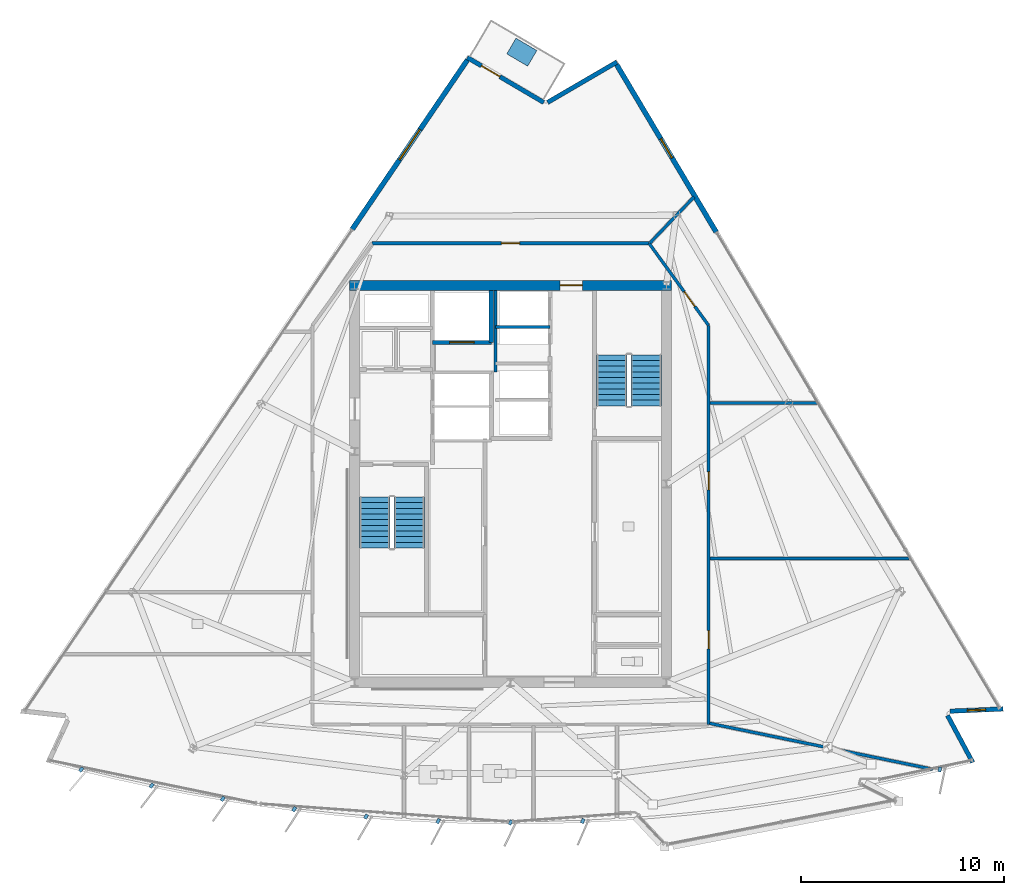
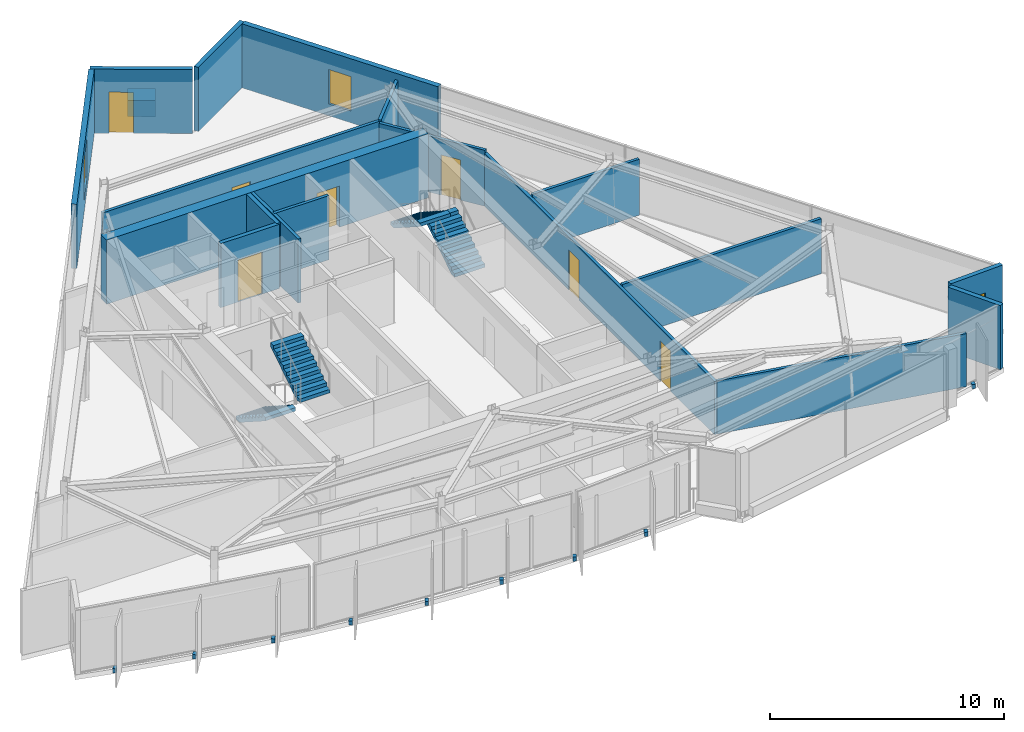
# One storey, part 8 of 12: 18 walls, 10 discrete accessories, 7 doors, 4 stair flights, 3 windows, 10 openings, 2 elements without a shape of their own.
"""IFC4 building model written with IfcOpenShell, lengths in metres."""

from ifc_helpers import new_model, si_unit, direction, frame, frame_2d, origin, origin_2d, place, context, subcontext, project, spatial, polyline, rectangle, outline, extrude, material, layer, layer_set, type_object, element, fill, aggregate, save


model = new_model("IFC4")

# Units and contexts
model_context = context("Model", 3, precision=1e-05, world=origin(), true_north=direction((0.0, 1.0)))
body_context = subcontext(model_context, "Body", "Model", "MODEL_VIEW")
ifc_project = project(units=[si_unit("LENGTHUNIT", "METRE"), si_unit("AREAUNIT", "SQUARE_METRE"), si_unit("VOLUMEUNIT", "CUBIC_METRE"), si_unit("PLANEANGLEUNIT", "RADIAN"), si_unit("MASSUNIT", "GRAM", prefix="KILO")], contexts=[model_context])

# Site, building, storey
site_placement = place(None, origin())
site = spatial("IfcSite", under=ifc_project, at=site_placement, CompositionType="ELEMENT")
building_placement = place(site_placement, origin())
building = spatial("IfcBuilding", under=site, at=building_placement, Name="Savorim Split Tower", CompositionType="ELEMENT")
storey_placement = place(building_placement, frame((0.0, 0.0, 261.60009765625)))
storey = spatial("IfcBuildingStorey", under=building, at=storey_placement, Name="L69", CompositionType="ELEMENT", Elevation=261.60009765625)

# Wall, opening, door
ifc_material_1 = material(Name="Concrete C60/75", Category="concrete")
ifc_layer_1 = layer(ifc_material_1, 0.5)
ifc_layer_set_1 = layer_set([ifc_layer_1], Name="WAL-COR-SH500")
wall_type_1 = type_object("IfcWallType", Name="WAL-COR-SH500", PredefinedType="SHEAR", material=ifc_layer_set_1)
wall_1_placement = place(storey_placement, frame((7.949951171875, 10.199951171875, 0.0), z_axis=(0.0, 0.0, 1.0), x_axis=(-1.0, 0.0, 0.0)))
wall_1 = element("IfcWall", 1, at=wall_1_placement, inside=storey, type_object=wall_type_1, Name="L69 Offset Core North Shear Wall", PredefinedType="SHEAR", context=body_context, shape_type="SweptSolid", body=[
    extrude(rectangle(XDim=15.89990234375, YDim=0.5, at=frame_2d((7.949951171875, 0.0))), origin(), (0.0, 0.0, 1.0), 3.349853515625),
])
opening_1_placement = place(wall_1_placement, frame((4.39990234375, 0.0, 0.0)))
opening_1 = element("IfcOpeningElement", 2, at=opening_1_placement, cuts=wall_1, Name="Opening DI-03", PredefinedType="OPENING", context=body_context, shape_type="SweptSolid", body=[
    extrude(rectangle(XDim=1.10009765625, YDim=2.14990234375, at=frame_2d((0.550048828125, 1.074951171875))), frame((0.0, 0.260009765625, 0.0), z_axis=(0.0, -1.0, 0.0), x_axis=(1.0, 0.0, 0.0)), (0.0, 0.0, 1.0), 0.52001953125),
])
ifc_material_2 = material(Name="Timber Fire Door Leaf", Category="wood")
door_type_1 = type_object("IfcDoorType", Name="DOR-FIR-1100", OperationType="NOTDEFINED", PredefinedType="DOOR", material=ifc_material_2)
door_1_placement = place(opening_1_placement, origin())
door_1 = element("IfcDoor", 3, at=door_1_placement, inside=storey, type_object=door_type_1, Name="DOR-L69-COR-NLOB - L69 North Corridor Lobby Fire Door", OperationType="SINGLE_SWING_RIGHT", OverallHeight=2.14990234375, OverallWidth=1.10009765625, PredefinedType="DOOR", context=body_context, shape_type="SweptSolid", body=[
    extrude(rectangle(XDim=1.10009765625, YDim=2.14990234375, at=frame_2d((0.550048828125, 1.074951171875))), frame((0.0, 0.02490234375, 0.0), z_axis=(0.0, -1.0, 0.0), x_axis=(1.0, 0.0, 0.0)), (0.0, 0.0, 1.0), 0.050048828125),
])
fill(opening_1, door_1)

# Wall
ifc_material_3 = material(Name="Precast concrete C40/50", Category="concrete")
ifc_layer_2 = layer(ifc_material_3, 0.219970703125)
ifc_layer_set_2 = layer_set([ifc_layer_2], Name="WAL-EXT-CRN220")
wall_type_2 = type_object("IfcWallType", Name="WAL-EXT-CRN220", PredefinedType="SOLIDWALL", material=ifc_layer_set_2)
wall_2_placement = place(storey_placement, frame((21.58056640625, -11.03955078125, 0.0), z_axis=(0.0, 0.0, 1.0), x_axis=(0.472791303324, -0.881174434208, 0.0)))
element("IfcWall", 4, at=wall_2_placement, inside=storey, type_object=wall_type_2, Name="L69 Notched Corner Facade Wall SE1", PredefinedType="SOLIDWALL", context=body_context, shape_type="SweptSolid", body=[
    extrude(rectangle(XDim=2.626953125, YDim=0.219970703125, at=frame_2d((1.3134765625, 0.0))), origin(), (0.0, 0.0, 1.0), 3.349853515625),
])

# Wall, opening, window
wall_3_placement = place(storey_placement, frame((24.32421875, -10.71435546875, 0.0), z_axis=(0.0, 0.0, 1.0), x_axis=(-0.999095924753, -0.042512740932, 0.0)))
wall_3 = element("IfcWall", 5, at=wall_3_placement, inside=storey, type_object=wall_type_2, Name="L69 Notched Corner Facade Wall SE", PredefinedType="SOLIDWALL", context=body_context, shape_type="SweptSolid", body=[
    extrude(rectangle(XDim=2.62451171875, YDim=0.219970703125, at=frame_2d((1.312255859375, 0.0))), origin(), (0.0, 0.0, 1.0), 3.349853515625),
])
opening_2_placement = place(wall_3_placement, frame((0.8623046875, 0.0, 0.6201171875)))
opening_2 = element("IfcOpeningElement", 6, at=opening_2_placement, cuts=wall_3, Name="Opening WN-10", PredefinedType="OPENING", context=body_context, shape_type="SweptSolid", body=[
    extrude(rectangle(XDim=0.89990234375, YDim=1.60009765625, at=frame_2d((0.449951171875, 0.800048828125))), frame((0.0, 0.119873046875, 0.0), z_axis=(0.0, -1.0, 0.0), x_axis=(1.0, 0.0, 0.0)), (0.0, 0.0, 1.0), 0.239990234375),
])
ifc_material_4 = material(Name="Low-E Operable Double Glazing", Category="glass")
window_type_1 = type_object("IfcWindowType", Name="WIN-TWR-900x1600", PartitioningType="SINGLE_PANEL", PredefinedType="WINDOW", material=ifc_material_4)
window_1_placement = place(opening_2_placement, origin())
window_1 = element("IfcWindow", 7, at=window_1_placement, inside=storey, type_object=window_type_1, Name="L69 Operable Corner Window SE", OverallHeight=1.60009765625, OverallWidth=0.89990234375, PartitioningType="SINGLE_PANEL", PredefinedType="WINDOW", context=body_context, shape_type="SweptSolid", body=[
    extrude(rectangle(XDim=0.89990234375, YDim=1.60009765625, at=frame_2d((0.449951171875, 0.800048828125))), frame((0.0, 0.030029296875, 0.0), z_axis=(0.0, -1.0, 0.0), x_axis=(1.0, 0.0, 0.0)), (0.0, 0.0, 1.0), 0.06005859375),
])
fill(opening_2, window_1)

# Wall
wall_4_placement = place(storey_placement, frame((1.832275390625, 19.233642578125, 0.0), z_axis=(0.0, 0.0, 1.0), x_axis=(0.86397765749, 0.503530145432, 0.0)))
element("IfcWall", 8, at=wall_4_placement, inside=storey, type_object=wall_type_2, Name="L69 Notched Corner Facade Wall NE1", PredefinedType="SOLIDWALL", context=body_context, shape_type="SweptSolid", body=[
    extrude(rectangle(XDim=3.963623046875, YDim=0.219970703125, at=frame_2d((1.98193359375, 0.0))), origin(), (0.0, 0.0, 1.0), 3.349853515625),
])

# Wall, opening, door
wall_5_placement = place(storey_placement, frame((-2.1337890625, 21.453125, 0.0), z_axis=(0.0, 0.0, 1.0), x_axis=(0.862106131527, -0.506727755292, 0.0)))
wall_5 = element("IfcWall", 9, at=wall_5_placement, inside=storey, type_object=wall_type_2, Name="L69 Notched Corner Facade Wall N", PredefinedType="SOLIDWALL", context=body_context, shape_type="SweptSolid", body=[
    extrude(rectangle(XDim=4.379638671875, YDim=0.219970703125, at=frame_2d((2.18994140625, 0.0))), origin(), (0.0, 0.0, 1.0), 3.349853515625),
])
opening_3_placement = place(wall_5_placement, frame((0.814697265625, 0.0, 0.0)))
opening_3 = element("IfcOpeningElement", 10, at=opening_3_placement, cuts=wall_5, Name="Opening DB-01", PredefinedType="OPENING", context=body_context, shape_type="SweptSolid", body=[
    extrude(rectangle(XDim=1.050048828125, YDim=2.14990234375, at=frame_2d((0.52490234375, 1.074951171875))), frame((0.0, 0.119873046875, 0.0), z_axis=(0.0, -1.0, 0.0), x_axis=(1.0, 0.0, 0.0)), (0.0, 0.0, 1.0), 0.239990234375),
])
ifc_material_5 = material(Name="Charcoal Anodised Aluminium", Category="aluminium")
door_type_2 = type_object("IfcDoorType", Name="DOR-BAL-1050", OperationType="NOTDEFINED", PredefinedType="DOOR", material=ifc_material_5)
door_2_placement = place(opening_3_placement, origin())
door_2 = element("IfcDoor", 11, at=door_2_placement, inside=storey, type_object=door_type_2, Name="DOR-L69-TBAL-N - L69 Planted Tree Balcony Door N", OperationType="SINGLE_SWING_RIGHT", OverallHeight=2.14990234375, OverallWidth=1.050048828125, PredefinedType="DOOR", context=body_context, shape_type="SweptSolid", body=[
    extrude(rectangle(XDim=1.050048828125, YDim=2.14990234375, at=frame_2d((0.52490234375, 1.074951171875))), frame((0.0, 0.02490234375, 0.0), z_axis=(0.0, -1.0, 0.0), x_axis=(1.0, 0.0, 0.0)), (0.0, 0.0, 1.0), 0.050048828125),
])
fill(opening_3, door_2)

# Wall, opening, window
ifc_layer_3 = layer(ifc_material_3, 0.25)
ifc_layer_set_3 = layer_set([ifc_layer_3], Name="WAL-EXT-SPN250")
wall_type_3 = type_object("IfcWallType", Name="WAL-EXT-SPN250", PredefinedType="SOLIDWALL", material=ifc_layer_set_3)
wall_6_placement = place(storey_placement, frame((5.240234375, 21.10302734375, 0.0), z_axis=(0.0, 0.0, 1.0), x_axis=(0.511088566076, -0.859528055171, 0.0)))
wall_6 = element("IfcWall", 12, at=wall_6_placement, inside=storey, type_object=wall_type_3, Name="L69 East Operable Window Pier", PredefinedType="SOLIDWALL", context=body_context, shape_type="SweptSolid", body=[
    extrude(rectangle(XDim=9.62158203125, YDim=0.25, at=frame_2d((4.810791015625, 0.0))), origin(), (0.0, 0.0, 1.0), 3.349853515625),
])
opening_4_placement = place(wall_6_placement, frame((4.2607421875, 0.0, 0.6201171875)))
opening_4 = element("IfcOpeningElement", 13, at=opening_4_placement, cuts=wall_6, Name="Opening WN-09", PredefinedType="OPENING", context=body_context, shape_type="SweptSolid", body=[
    extrude(rectangle(XDim=1.10009765625, YDim=1.800048828125, at=frame_2d((0.550048828125, 0.89990234375))), frame((0.0, 0.135009765625, 0.0), z_axis=(0.0, -1.0, 0.0), x_axis=(1.0, 0.0, 0.0)), (0.0, 0.0, 1.0), 0.27001953125),
])
window_type_2 = type_object("IfcWindowType", Name="WIN-TWR-1100x1800", PartitioningType="SINGLE_PANEL", PredefinedType="WINDOW", material=ifc_material_4)
window_2_placement = place(opening_4_placement, origin())
window_2 = element("IfcWindow", 14, at=window_2_placement, inside=storey, type_object=window_type_2, Name="L69 East Operable Ventilation Window", OverallHeight=1.800048828125, OverallWidth=1.10009765625, PartitioningType="SINGLE_PANEL", PredefinedType="WINDOW", context=body_context, shape_type="SweptSolid", body=[
    extrude(rectangle(XDim=1.10009765625, YDim=1.800048828125, at=frame_2d((0.550048828125, 0.89990234375))), frame((0.0, 0.030029296875, 0.0), z_axis=(0.0, -1.0, 0.0), x_axis=(1.0, 0.0, 0.0)), (0.0, 0.0, 1.0), 0.06005859375),
])
fill(opening_4, window_2)

wall_7_placement = place(storey_placement, frame((-7.81689453125, 12.970947265625, 0.0), z_axis=(0.0, 0.0, 1.0), x_axis=(0.562474530687, 0.826814611826, 0.0)))
wall_7 = element("IfcWall", 15, at=wall_7_placement, inside=storey, type_object=wall_type_3, Name="L69 West Operable Window Pier", PredefinedType="SOLIDWALL", context=body_context, shape_type="SweptSolid", body=[
    extrude(rectangle(XDim=10.106689453125, YDim=0.25, at=frame_2d((5.05322265625, 0.0))), origin(), (0.0, 0.0, 1.0), 3.349853515625),
])
opening_5_placement = place(wall_7_placement, frame((4.153564453125, 0.0, 0.6201171875)))
opening_5 = element("IfcOpeningElement", 16, at=opening_5_placement, cuts=wall_7, Name="Opening WN-04", PredefinedType="OPENING", context=body_context, shape_type="SweptSolid", body=[
    extrude(rectangle(XDim=1.800048828125, YDim=2.10009765625, at=frame_2d((0.89990234375, 1.050048828125))), frame((0.0, 0.135009765625, 0.0), z_axis=(0.0, -1.0, 0.0), x_axis=(1.0, 0.0, 0.0)), (0.0, 0.0, 1.0), 0.27001953125),
])
window_type_3 = type_object("IfcWindowType", Name="WIN-TWR-1800x2100", PartitioningType="DOUBLE_PANEL_VERTICAL", PredefinedType="WINDOW", material=ifc_material_4)
window_3_placement = place(opening_5_placement, origin())
window_3 = element("IfcWindow", 17, at=window_3_placement, inside=storey, type_object=window_type_3, Name="L69 West Operable Ventilation Window", OverallHeight=2.10009765625, OverallWidth=1.800048828125, PartitioningType="SINGLE_PANEL", PredefinedType="WINDOW", context=body_context, shape_type="SweptSolid", body=[
    extrude(rectangle(XDim=1.800048828125, YDim=2.10009765625, at=frame_2d((0.89990234375, 1.050048828125))), frame((0.0, 0.030029296875, 0.0), z_axis=(0.0, -1.0, 0.0), x_axis=(1.0, 0.0, 0.0)), (0.0, 0.0, 1.0), 0.06005859375),
])
fill(opening_5, window_3)

# Wall, opening, door
ifc_material_6 = material(Name="Concrete C50/60", Category="concrete")
ifc_layer_4 = layer(ifc_material_6, 0.199951171875)
ifc_layer_set_4 = layer_set([ifc_layer_4], Name="WAL-INT-RC200")
wall_type_4 = type_object("IfcWallType", Name="WAL-INT-RC200", PredefinedType="SOLIDWALL", material=ifc_layer_set_4)
wall_8_placement = place(storey_placement, frame((-3.85009765625, 7.3798828125, 0.0), z_axis=(0.0, 0.0, 1.0), x_axis=(1.0, 0.0, 0.0)))
wall_8 = element("IfcWall", 18, at=wall_8_placement, inside=storey, type_object=wall_type_4, Name="L69 Partition W-L69-SVLS", PredefinedType="SOLIDWALL", context=body_context, shape_type="SweptSolid", body=[
    extrude(rectangle(XDim=2.900146484375, YDim=0.199951171875, at=frame_2d((1.4501953125, 0.0))), origin(), (0.0, 0.0, 1.0), 3.349853515625),
])
opening_6_placement = place(wall_8_placement, frame((0.85009765625, 0.0, 0.0)))
opening_6 = element("IfcOpeningElement", 19, at=opening_6_placement, cuts=wall_8, Name="Opening LD-SV", PredefinedType="OPENING", context=body_context, shape_type="SweptSolid", body=[
    extrude(rectangle(XDim=1.199951171875, YDim=2.199951171875, at=frame_2d((0.60009765625, 1.10009765625))), frame((0.0, 0.10986328125, 0.0), z_axis=(0.0, -1.0, 0.0), x_axis=(1.0, 0.0, 0.0)), (0.0, 0.0, 1.0), 0.219970703125),
])
door_type_3 = type_object("IfcDoorType", Name="DOR-SLD-SV1200", OperationType="NOTDEFINED", PredefinedType="DOOR", material=ifc_material_5)
door_3_placement = place(opening_6_placement, origin())
door_3 = element("IfcDoor", 20, at=door_3_placement, inside=storey, type_object=door_type_3, Name="DR-L69-LD-SVL1 - L69 Service Lift SVL-1 Sliding Landing Door", OperationType="DOUBLE_DOOR_SLIDING", OverallHeight=2.199951171875, OverallWidth=1.199951171875, PredefinedType="DOOR", context=body_context, shape_type="SweptSolid", body=[
    extrude(rectangle(XDim=1.199951171875, YDim=2.199951171875, at=frame_2d((0.60009765625, 1.10009765625))), frame((0.0, 0.02490234375, 0.0), z_axis=(0.0, -1.0, 0.0), x_axis=(1.0, 0.0, 0.0)), (0.0, 0.0, 1.0), 0.050048828125),
])
fill(opening_6, door_3)

# Walls
wall_9_placement = place(storey_placement, frame((-0.949951171875, 7.3798828125, 0.0), z_axis=(0.0, 0.0, 1.0), x_axis=(0.0, 1.0, 0.0)))
element("IfcWall", 21, at=wall_9_placement, inside=storey, type_object=wall_type_4, Name="L69 Partition W-L69-SVLE", PredefinedType="SOLIDWALL", context=body_context, shape_type="SweptSolid", body=[
    extrude(rectangle(XDim=2.565185546875, YDim=0.199951171875, at=frame_2d((1.28271484375, 0.0))), origin(), (0.0, 0.0, 1.0), 3.349853515625),
])
ifc_material_7 = material(Name="Acoustic Gypsum Partition Board")
ifc_layer_5 = layer(ifc_material_7, 0.14990234375)
ifc_layer_set_5 = layer_set([ifc_layer_5], Name="WAL-PAR-150")
wall_type_5 = type_object("IfcWallType", Name="WAL-PAR-150", PredefinedType="PARTITIONING", material=ifc_layer_set_5)
wall_10_placement = place(storey_placement, frame((-0.75, 5.919921875, 0.0), z_axis=(0.0, 0.0, 1.0), x_axis=(0.0, 1.0, 0.0)))
element("IfcWall", 22, at=wall_10_placement, inside=storey, type_object=wall_type_5, Name="L69 Partition W-L69-B3WEST", PredefinedType="PARTITIONING", context=body_context, shape_type="SweptSolid", body=[
    extrude(rectangle(XDim=4.025146484375, YDim=0.14990234375, at=frame_2d((2.0126953125, 0.0))), origin(), (0.0, 0.0, 1.0), 3.349853515625),
])
wall_11_placement = place(storey_placement, frame((-0.75, 8.14990234375, 0.0), z_axis=(0.0, 0.0, 1.0), x_axis=(1.0, 0.0, 0.0)))
element("IfcWall", 23, at=wall_11_placement, inside=storey, type_object=wall_type_5, Name="L69 Partition W-L69-B3DIV3", PredefinedType="PARTITIONING", context=body_context, shape_type="SweptSolid", body=[
    extrude(rectangle(XDim=2.699951171875, YDim=0.14990234375, at=frame_2d((1.35009765625, 0.0))), origin(), (0.0, 0.0, 1.0), 3.349853515625),
])

# Wall, opening, door
wall_12_placement = place(storey_placement, frame((-6.8408203125, 12.280029296875, 0.0), z_axis=(0.0, 0.0, 1.0), x_axis=(1.0, 0.0, 0.0)))
wall_12 = element("IfcWall", 24, at=wall_12_placement, inside=storey, type_object=wall_type_5, Name="L69 Partition W-L69-COR-03", PredefinedType="PARTITIONING", context=body_context, shape_type="SweptSolid", body=[
    extrude(rectangle(XDim=13.681640625, YDim=0.14990234375, at=frame_2d((6.8408203125, 0.0))), origin(), (0.0, 0.0, 1.0), 3.014892578125),
])
opening_7_placement = place(wall_12_placement, frame((6.390869140625, 0.0, 0.0)))
opening_7 = element("IfcOpeningElement", 25, at=opening_7_placement, cuts=wall_12, Name="Opening DI-06", PredefinedType="OPENING", context=body_context, shape_type="SweptSolid", body=[
    extrude(rectangle(XDim=0.89990234375, YDim=2.10009765625, at=frame_2d((0.449951171875, 1.050048828125))), frame((0.0, 0.0849609375, 0.0), z_axis=(0.0, -1.0, 0.0), x_axis=(1.0, 0.0, 0.0)), (0.0, 0.0, 1.0), 0.169921875),
])
door_type_4 = type_object("IfcDoorType", Name="DOR-FIR-900", OperationType="NOTDEFINED", PredefinedType="DOOR", material=ifc_material_2)
door_4_placement = place(opening_7_placement, origin())
door_4 = element("IfcDoor", 26, at=door_4_placement, inside=storey, type_object=door_type_4, Name="DR-L69-RM11 - L69 Co-Working Commons Entry Door", OperationType="SINGLE_SWING_RIGHT", OverallHeight=2.10009765625, OverallWidth=0.89990234375, PredefinedType="DOOR", context=body_context, shape_type="SweptSolid", body=[
    extrude(rectangle(XDim=0.89990234375, YDim=2.10009765625, at=frame_2d((0.449951171875, 1.050048828125))), frame((0.0, 0.02490234375, 0.0), z_axis=(0.0, -1.0, 0.0), x_axis=(1.0, 0.0, 0.0)), (0.0, 0.0, 1.0), 0.050048828125),
])
fill(opening_7, door_4)

wall_13_placement = place(storey_placement, frame((6.8408203125, 12.280029296875, 0.0), z_axis=(0.0, 0.0, 1.0), x_axis=(0.586956386413, -0.809618552436, 0.0)))
wall_13 = element("IfcWall", 27, at=wall_13_placement, inside=storey, type_object=wall_type_5, Name="L69 Partition W-L69-COR-04", PredefinedType="PARTITIONING", context=body_context, shape_type="SweptSolid", body=[
    extrude(rectangle(XDim=5.007568359375, YDim=0.14990234375, at=frame_2d((2.50390625, 0.0))), origin(), (0.0, 0.0, 1.0), 2.9248046875),
])
opening_8_placement = place(wall_13_placement, frame((2.95361328125, 0.0, 0.0)))
opening_8 = element("IfcOpeningElement", 28, at=opening_8_placement, cuts=wall_13, Name="Opening DI-06", PredefinedType="OPENING", context=body_context, shape_type="SweptSolid", body=[
    extrude(rectangle(XDim=0.89990234375, YDim=2.10009765625, at=frame_2d((0.449951171875, 1.050048828125))), frame((0.0, 0.0849609375, 0.0), z_axis=(0.0, -1.0, 0.0), x_axis=(1.0, 0.0, 0.0)), (0.0, 0.0, 1.0), 0.169921875),
])
door_5_placement = place(opening_8_placement, origin())
door_5 = element("IfcDoor", 29, at=door_5_placement, inside=storey, type_object=door_type_4, Name="DR-L69-RM10 - L69 Quiet Study Room Entry Door", OperationType="SINGLE_SWING_LEFT", OverallHeight=2.10009765625, OverallWidth=0.89990234375, PredefinedType="DOOR", context=body_context, shape_type="SweptSolid", body=[
    extrude(rectangle(XDim=0.89990234375, YDim=2.10009765625, at=frame_2d((0.449951171875, 1.050048828125))), frame((0.0, 0.02490234375, 0.0), z_axis=(0.0, -1.0, 0.0), x_axis=(1.0, 0.0, 0.0)), (0.0, 0.0, 1.0), 0.050048828125),
])
fill(opening_8, door_5)

# Wall, openings, doors
wall_14_placement = place(storey_placement, frame((9.780029296875, 8.225830078125, 0.0), z_axis=(0.0, 0.0, 1.0), x_axis=(0.0, -1.0, 0.0)))
wall_14 = element("IfcWall", 30, at=wall_14_placement, inside=storey, type_object=wall_type_5, Name="L69 Partition W-L69-COR-05", PredefinedType="PARTITIONING", context=body_context, shape_type="SweptSolid", body=[
    extrude(rectangle(XDim=19.705810546875, YDim=0.14990234375, at=frame_2d((9.85302734375, 0.0))), origin(), (0.0, 0.0, 1.0), 2.77490234375),
])
opening_9_placement = place(wall_14_placement, frame((15.071533203125, 0.0, 0.0)))
opening_9 = element("IfcOpeningElement", 31, at=opening_9_placement, cuts=wall_14, Name="Opening DI-06", PredefinedType="OPENING", context=body_context, shape_type="SweptSolid", body=[
    extrude(rectangle(XDim=0.89990234375, YDim=2.10009765625, at=frame_2d((0.449951171875, 1.050048828125))), frame((0.0, 0.0849609375, 0.0), z_axis=(0.0, -1.0, 0.0), x_axis=(1.0, 0.0, 0.0)), (0.0, 0.0, 1.0), 0.169921875),
])
opening_10_placement = place(wall_14_placement, frame((7.22900390625, 0.0, 0.0)))
opening_10 = element("IfcOpeningElement", 32, at=opening_10_placement, cuts=wall_14, Name="Opening DI-06", PredefinedType="OPENING", context=body_context, shape_type="SweptSolid", body=[
    extrude(rectangle(XDim=0.89990234375, YDim=2.10009765625, at=frame_2d((0.449951171875, 1.050048828125))), frame((0.0, 0.0849609375, 0.0), z_axis=(0.0, -1.0, 0.0), x_axis=(1.0, 0.0, 0.0)), (0.0, 0.0, 1.0), 0.169921875),
])
door_6_placement = place(opening_9_placement, origin())
door_6 = element("IfcDoor", 33, at=door_6_placement, inside=storey, type_object=door_type_4, Name="DR-L69-RM08 - L69 Co-Working Commons Entry Door", OperationType="SINGLE_SWING_LEFT", OverallHeight=2.10009765625, OverallWidth=0.89990234375, PredefinedType="DOOR", context=body_context, shape_type="SweptSolid", body=[
    extrude(rectangle(XDim=0.89990234375, YDim=2.10009765625, at=frame_2d((0.449951171875, 1.050048828125))), frame((0.0, 0.02490234375, 0.0), z_axis=(0.0, -1.0, 0.0), x_axis=(1.0, 0.0, 0.0)), (0.0, 0.0, 1.0), 0.050048828125),
])
fill(opening_9, door_6)
door_7_placement = place(opening_10_placement, origin())
door_7 = element("IfcDoor", 34, at=door_7_placement, inside=storey, type_object=door_type_4, Name="DR-L69-RM09 - L69 Co-Working Commons Entry Door", OperationType="SINGLE_SWING_RIGHT", OverallHeight=2.10009765625, OverallWidth=0.89990234375, PredefinedType="DOOR", context=body_context, shape_type="SweptSolid", body=[
    extrude(rectangle(XDim=0.89990234375, YDim=2.10009765625, at=frame_2d((0.449951171875, 1.050048828125))), frame((0.0, 0.02490234375, 0.0), z_axis=(0.0, -1.0, 0.0), x_axis=(1.0, 0.0, 0.0)), (0.0, 0.0, 1.0), 0.050048828125),
])
fill(opening_10, door_7)

# Walls
wall_15_placement = place(storey_placement, frame((9.837158203125, -11.42724609375, 0.0), z_axis=(0.0, 0.0, 1.0), x_axis=(0.979466368173, -0.201607622916, 0.0)))
element("IfcWall", 35, at=wall_15_placement, inside=storey, type_object=wall_type_5, Name="L69 Partition W-L69-PRAD04", PredefinedType="PARTITIONING", context=body_context, shape_type="SweptSolid", body=[
    extrude(rectangle(XDim=11.25341796875, YDim=0.14990234375, at=frame_2d((5.626708984375, 0.0))), origin(), (0.0, 0.0, 1.0), 2.77490234375),
])
wall_16_placement = place(storey_placement, frame((9.840087890625, 4.383544921875, 0.0), z_axis=(0.0, 0.0, 1.0), x_axis=(1.0, 0.0, 0.0)))
element("IfcWall", 36, at=wall_16_placement, inside=storey, type_object=wall_type_5, Name="L69 Partition W-L69-PRAD06", PredefinedType="PARTITIONING", context=body_context, shape_type="SweptSolid", body=[
    extrude(rectangle(XDim=5.28369140625, YDim=0.14990234375, at=frame_2d((2.641845703125, 0.0))), origin(), (0.0, 0.0, 1.0), 2.9248046875),
])
wall_17_placement = place(storey_placement, frame((6.895751953125, 12.302001953125, 0.0), z_axis=(0.0, 0.0, 1.0), x_axis=(0.690869511938, 0.722979472374, 0.0)))
element("IfcWall", 37, at=wall_17_placement, inside=storey, type_object=wall_type_5, Name="L69 Partition W-L69-PRAD07", PredefinedType="PARTITIONING", context=body_context, shape_type="SweptSolid", body=[
    extrude(rectangle(XDim=3.14013671875, YDim=0.14990234375, at=frame_2d((1.570068359375, 0.0))), origin(), (0.0, 0.0, 1.0), 3.014892578125),
])
wall_18_placement = place(storey_placement, frame((9.840087890625, -3.28955078125, 0.0), z_axis=(0.0, 0.0, 1.0), x_axis=(1.0, 0.0, 0.0)))
element("IfcWall", 38, at=wall_18_placement, inside=storey, type_object=wall_type_5, Name="L69 Partition W-L69-SUB03", PredefinedType="PARTITIONING", context=body_context, shape_type="SweptSolid", body=[
    extrude(rectangle(XDim=9.84619140625, YDim=0.14990234375, at=frame_2d((4.923095703125, 0.0))), origin(), (0.0, 0.0, 1.0), 2.875),
])

# Stair, stair flights
stair_type = type_object("IfcStairType", Name="STR-DOG-3600", PredefinedType="HALF_TURN_STAIR", material=ifc_material_6)
stair_1_placement = place(storey_placement, origin())
stair_1 = element("IfcStair", 39, at=stair_1_placement, inside=storey, type_object=stair_type, Name="L69 Core Protected Exit Stair ST-1", PredefinedType="HALF_TURN_STAIR")
stair_flight_type = type_object("IfcStairFlightType", Name="SFL-DOG-3600", PredefinedType="STRAIGHT", material=ifc_material_6)
stair_flight_1_placement = place(storey_placement, frame((-6.699951171875, -0.25, 0.0), z_axis=(0.0, 0.0, 1.0), x_axis=(0.0, -1.0, 0.0)))
stair_flight_1 = element("IfcStairFlight", 40, at=stair_flight_1_placement, type_object=stair_flight_type, Name="ST-1 flight 1", NumberOfRisers=10, NumberOfTreads=9, PredefinedType="STRAIGHT", RiserHeight=0.18, TreadLength=0.28, context=body_context, shape_type="SweptSolid", body=[
    extrude(outline(polyline([(0.0, 0.0), (0.0, 0.179931640625), (0.280029296875, 0.179931640625), (0.280029296875, 0.360107421875), (0.56005859375, 0.360107421875), (0.56005859375, 0.5400390625), (0.840087890625, 0.5400390625), (0.840087890625, 0.719970703125), (1.1201171875, 0.719970703125), (1.1201171875, 0.89990234375), (1.39990234375, 0.89990234375), (1.39990234375, 1.080078125), (1.679931640625, 1.080078125), (1.679931640625, 1.260009765625), (1.9599609375, 1.260009765625), (1.9599609375, 1.43994140625), (2.239990234375, 1.43994140625), (2.239990234375, 1.6201171875), (2.52001953125, 1.6201171875), (2.52001953125, 1.800048828125), (2.52001953125, 1.44189453125), (0.277099609375, 0.0), (0.0, 0.0)])), frame((0.0, 0.75, 0.0), z_axis=(0.0, -1.0, 0.0), x_axis=(1.0, 0.0, 0.0)), (0.0, 0.0, 1.0), 1.5),
])
stair_flight_2_placement = place(storey_placement, frame((-5.0, -2.77001953125, 1.7998046875), z_axis=(0.0, 0.0, 1.0), x_axis=(0.0, 1.0, 0.0)))
stair_flight_2 = element("IfcStairFlight", 41, at=stair_flight_2_placement, type_object=stair_flight_type, Name="ST-1 flight 2", NumberOfRisers=10, NumberOfTreads=9, PredefinedType="STRAIGHT", RiserHeight=0.18, TreadLength=0.28, context=body_context, shape_type="SweptSolid", body=[
    extrude(outline(polyline([(0.0, 0.0), (0.0, 0.179931640625), (0.280029296875, 0.179931640625), (0.280029296875, 0.360107421875), (0.56005859375, 0.360107421875), (0.56005859375, 0.5400390625), (0.840087890625, 0.5400390625), (0.840087890625, 0.719970703125), (1.1201171875, 0.719970703125), (1.1201171875, 0.89990234375), (1.39990234375, 0.89990234375), (1.39990234375, 1.080078125), (1.679931640625, 1.080078125), (1.679931640625, 1.260009765625), (1.9599609375, 1.260009765625), (1.9599609375, 1.43994140625), (2.239990234375, 1.43994140625), (2.239990234375, 1.6201171875), (2.52001953125, 1.6201171875), (2.52001953125, 1.800048828125), (2.52001953125, 1.44189453125), (0.277099609375, 0.0), (0.0, 0.0)])), frame((0.0, 0.75, 0.0), z_axis=(0.0, -1.0, 0.0), x_axis=(1.0, 0.0, 0.0)), (0.0, 0.0, 1.0), 1.5),
])
aggregate(stair_1, [stair_flight_1, stair_flight_2])

stair_2_placement = place(storey_placement, origin())
stair_2 = element("IfcStair", 42, at=stair_2_placement, inside=storey, type_object=stair_type, Name="L69 Core Protected Exit Stair ST-2", PredefinedType="HALF_TURN_STAIR")
stair_flight_3_placement = place(storey_placement, frame((6.699951171875, 4.25, 0.0), z_axis=(0.0, 0.0, 1.0), x_axis=(0.0, 1.0, 0.0)))
stair_flight_3 = element("IfcStairFlight", 43, at=stair_flight_3_placement, type_object=stair_flight_type, Name="ST-2 flight 1", NumberOfRisers=10, NumberOfTreads=9, PredefinedType="STRAIGHT", RiserHeight=0.18, TreadLength=0.28, context=body_context, shape_type="SweptSolid", body=[
    extrude(outline(polyline([(0.0, 0.0), (0.0, 0.179931640625), (0.280029296875, 0.179931640625), (0.280029296875, 0.360107421875), (0.56005859375, 0.360107421875), (0.56005859375, 0.5400390625), (0.840087890625, 0.5400390625), (0.840087890625, 0.719970703125), (1.1201171875, 0.719970703125), (1.1201171875, 0.89990234375), (1.39990234375, 0.89990234375), (1.39990234375, 1.080078125), (1.679931640625, 1.080078125), (1.679931640625, 1.260009765625), (1.9599609375, 1.260009765625), (1.9599609375, 1.43994140625), (2.239990234375, 1.43994140625), (2.239990234375, 1.6201171875), (2.52001953125, 1.6201171875), (2.52001953125, 1.800048828125), (2.52001953125, 1.44189453125), (0.277099609375, 0.0), (0.0, 0.0)])), frame((0.0, 0.75, 0.0), z_axis=(0.0, -1.0, 0.0), x_axis=(1.0, 0.0, 0.0)), (0.0, 0.0, 1.0), 1.5),
])
stair_flight_4_placement = place(storey_placement, frame((5.0, 6.77001953125, 1.7998046875), z_axis=(0.0, 0.0, 1.0), x_axis=(0.0, -1.0, 0.0)))
stair_flight_4 = element("IfcStairFlight", 44, at=stair_flight_4_placement, type_object=stair_flight_type, Name="ST-2 flight 2", NumberOfRisers=10, NumberOfTreads=9, PredefinedType="STRAIGHT", RiserHeight=0.18, TreadLength=0.28, context=body_context, shape_type="SweptSolid", body=[
    extrude(outline(polyline([(0.0, 0.0), (0.0, 0.179931640625), (0.280029296875, 0.179931640625), (0.280029296875, 0.360107421875), (0.56005859375, 0.360107421875), (0.56005859375, 0.5400390625), (0.840087890625, 0.5400390625), (0.840087890625, 0.719970703125), (1.1201171875, 0.719970703125), (1.1201171875, 0.89990234375), (1.39990234375, 0.89990234375), (1.39990234375, 1.080078125), (1.679931640625, 1.080078125), (1.679931640625, 1.260009765625), (1.9599609375, 1.260009765625), (1.9599609375, 1.43994140625), (2.239990234375, 1.43994140625), (2.239990234375, 1.6201171875), (2.52001953125, 1.6201171875), (2.52001953125, 1.800048828125), (2.52001953125, 1.44189453125), (0.277099609375, 0.0), (0.0, 0.0)])), frame((0.0, 0.75, 0.0), z_axis=(0.0, -1.0, 0.0), x_axis=(1.0, 0.0, 0.0)), (0.0, 0.0, 1.0), 1.5),
])
aggregate(stair_2, [stair_flight_3, stair_flight_4])

# Discrete accessories
ifc_material_8 = material(Name="Steel S355", Category="steel")
discrete_accessory_type_1 = type_object("IfcDiscreteAccessoryType", Name="ACC-BRK-FIN", PredefinedType="BRACKET", material=ifc_material_8)
for number, where, z_axis, x_axis, name in (
    (45, (-21.19970703125, -13.70703125, -0.18994140625), (0.0, 0.0, 1.0), (-0.643719022682, -0.765261928909, 0.0), "L69 Fin Slab-Edge Cleat Bracket 01"),
    (46, (-17.720947265625, -14.503662109375, -0.18994140625), (0.0, 0.0, 1.0), (-0.611868076908, -0.790959832394, 0.0), "L69 Fin Slab-Edge Cleat Bracket 02"),
    (47, (-14.21240234375, -15.1572265625, -0.18994140625), (0.0, 0.0, 1.0), (-0.578993757737, -0.815331974414, 0.0), "L69 Fin Slab-Edge Cleat Bracket 03"),
    (48, (-10.680419921875, -15.666748046875, -0.18994140625), (0.0, 0.0, 1.0), (-0.545148321708, -0.838339613366, 0.0), "L69 Fin Slab-Edge Cleat Bracket 04"),
    (49, (-7.130126953125, -16.03125, -0.18994140625), (0.0, 0.0, 1.0), (-0.510391336723, -0.859942255851, 0.0), "L69 Fin Slab-Edge Cleat Bracket 05"),
    (50, (-3.568115234375, -16.250244140625, -0.18994140625), (0.0, 0.0, 1.0), (-0.474778051978, -0.880105562623, 0.0), "L69 Fin Slab-Edge Cleat Bracket 06"),
    (51, (0.0, -16.3232421875, -0.18994140625), (0.0, 0.0, 1.0), (-0.438371146789, -0.898794046299, 0.0), "L69 Fin Slab-Edge Cleat Bracket 07"),
    (52, (3.568115234375, -16.250244140625, -0.18994140625), (0.0, 0.0, 1.0), (-0.401230091723, -0.915977299662, 0.0), "L69 Fin Slab-Edge Cleat Bracket 08"),
    (53, (21.19970703125, -13.70703125, -0.18994140625), (0.0, 0.0, 1.0), (-0.206721626106, -0.978399800337, 0.0), "L69 Fin Slab-Edge Cleat Bracket 13"),
):
    element("IfcDiscreteAccessory", number, at=place(storey_placement, frame(where, z_axis=z_axis, x_axis=x_axis)), inside=storey, type_object=discrete_accessory_type_1, Name=name, PredefinedType="BRACKET", context=body_context, shape_type="SweptSolid", body=[
        extrude(rectangle(XDim=0.239990234375, YDim=0.159912109375, at=origin_2d()), origin(), (0.0, 0.0, 1.0), 0.219970703125),
    ])
ifc_material_9 = material(Name="Architectural Precast Planter Concrete C40/50", Category="concrete")
discrete_accessory_type_2 = type_object("IfcDiscreteAccessoryType", Name="ACC-PLN-TREE", PredefinedType="USERDEFINED", material=ifc_material_9)
discrete_accessory_placement = place(storey_placement, frame((0.5595703125, 21.71435546875, -0.000244140625), z_axis=(0.0, 0.0, 1.0), x_axis=(-0.862124808883, 0.50669597779, 0.0)))
element("IfcDiscreteAccessory", 54, at=discrete_accessory_placement, inside=storey, type_object=discrete_accessory_type_2, Name="L69 Balcony Precast Tree Planter N", ObjectType="PLANTER", PredefinedType="USERDEFINED", context=body_context, shape_type="SweptSolid", body=[
    extrude(rectangle(XDim=1.199951171875, YDim=0.89990234375, at=origin_2d()), origin(), (0.0, 0.0, 1.0), 0.85009765625),
])

save(model, "model.ifc")
